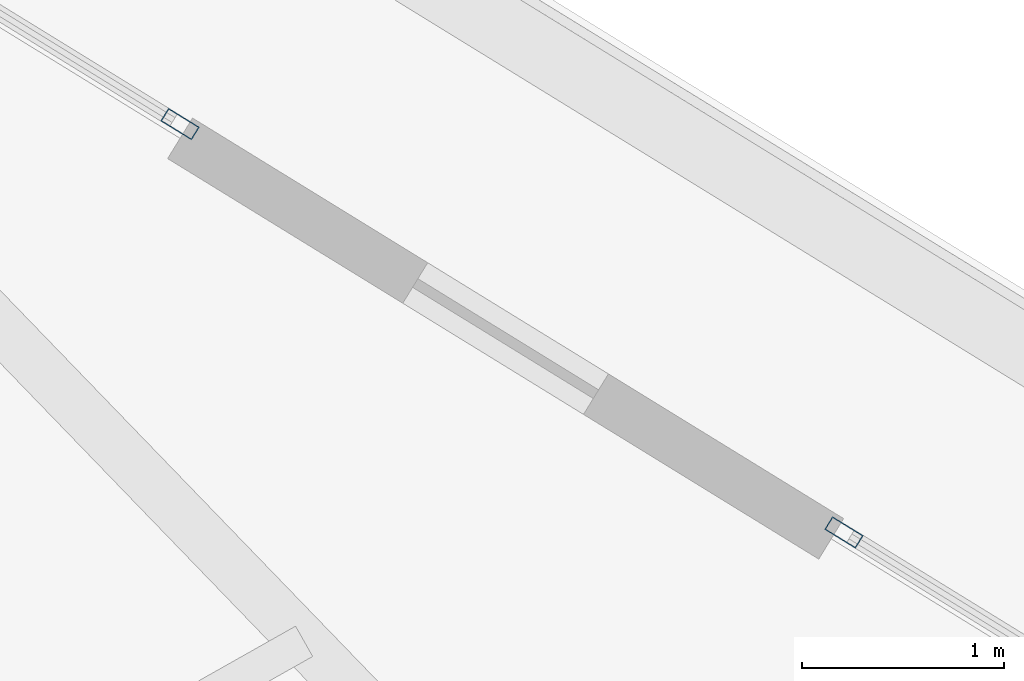
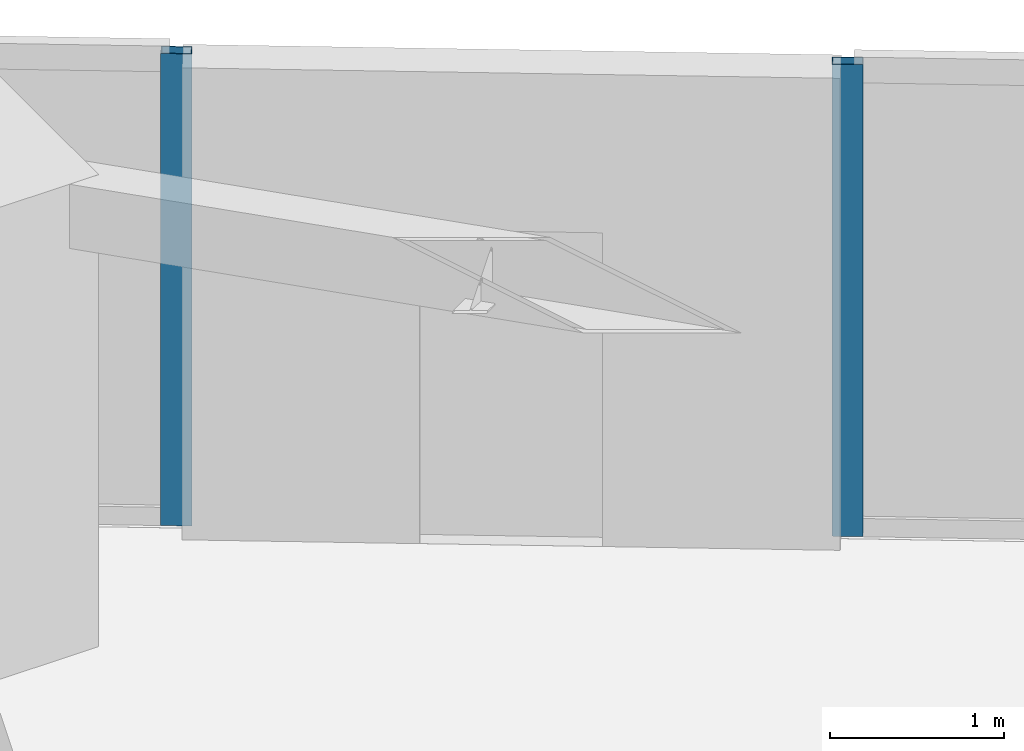
# One storey, part 14 of 21: 2 members, 2 elements without a shape of their own.
"""IFC4 building model written with IfcOpenShell, lengths in metres."""

import ifcopenshell
import ifcopenshell.guid

model = None  # the IFC model being written
_history = None  # IfcOwnerHistory: only IFC2X3 demands one
_inside = {}  # id of a spatial element -> (the spatial element, [elements in it])
_under = {}  # id of a project, library or spatial element -> (it, [spatial elements below it])
_declared = {}  # id of a project -> (the project, [libraries it declares])
_typed = {}  # id of a type object -> (the type object, [elements of that type])
_made_of = {}  # id of a material, layer set ... -> (it, [elements and type objects made of it])


def new_model(schema):
    """Start an empty IFC model of exactly this schema.

    Asked for "IFC4X3", IfcOpenShell would pick the latest addendum, in which some entities
    have other attributes; the version numbers below select the first issue.
    IFC2X3 requires an IfcOwnerHistory on every rooted entity: one is made here for all.
    """
    global model, _history
    if schema == "IFC4X3":
        model = ifcopenshell.file(schema_version=(4, 3, 0, 0))
    else:
        model = ifcopenshell.file(schema=schema)
    _inside.clear()
    _under.clear()
    _declared.clear()
    _typed.clear()
    _made_of.clear()
    _history = None
    if model.schema == "IFC2X3":
        org = make("IfcOrganization", Name="unknown")
        user = make(
            "IfcPersonAndOrganization",
            ThePerson=make("IfcPerson", FamilyName="unknown"),
            TheOrganization=org,
        )
        app = make(
            "IfcApplication",
            ApplicationDeveloper=org,
            Version="unknown",
            ApplicationFullName="unknown",
            ApplicationIdentifier="unknown",
        )
        _history = make(
            "IfcOwnerHistory",
            OwningUser=user,
            OwningApplication=app,
            ChangeAction="ADDED",
            CreationDate=0,
        )
    return model


def make(cls, **values):
    """One entity of the class cls with the attributes given. An attribute that is None is left unset."""
    return model.create_entity(
        cls, **{name: value for name, value in values.items() if value is not None}
    )


def rooted(cls, **values):
    """An entity with a GlobalId (a new one), such as an element, a storey or a relation."""
    return make(cls, GlobalId=ifcopenshell.guid.new(), OwnerHistory=_history, **values)


def si_unit(unit_type, name, prefix=None):
    """IfcSIUnit, for example si_unit("LENGTHUNIT", "METRE", prefix="MILLI")."""
    return make("IfcSIUnit", UnitType=unit_type, Prefix=prefix, Name=name)


def assignment(units):
    """IfcUnitAssignment: the units of a project."""
    return None if units is None else make("IfcUnitAssignment", Units=units)


def point(xyz):
    """IfcCartesianPoint."""
    return None if xyz is None else make("IfcCartesianPoint", Coordinates=xyz)


def direction(xyz):
    """IfcDirection."""
    return None if xyz is None else make("IfcDirection", DirectionRatios=xyz)


def frame(location, z_axis=None, x_axis=None):
    """IfcAxis2Placement3D, a coordinate frame: its origin and axes. An axis left out is left unset."""
    return make(
        "IfcAxis2Placement3D",
        Location=point(location),
        Axis=direction(z_axis),
        RefDirection=direction(x_axis),
    )


def frame_2d(location, x_axis=None):
    """IfcAxis2Placement2D, a coordinate frame in the plane: its origin and x axis."""
    return make(
        "IfcAxis2Placement2D", Location=point(location), RefDirection=direction(x_axis)
    )


def origin():
    """The frame at (0, 0, 0) with its axes left unset."""
    return frame((0.0, 0.0, 0.0))


def origin_2d():
    """The frame at (0, 0) in the plane with its x axis left unset."""
    return frame_2d((0.0, 0.0))


def place(relative_to, where):
    """IfcLocalPlacement: puts the frame where relative to a parent placement (None: the world)."""
    return make(
        "IfcLocalPlacement", PlacementRelTo=relative_to, RelativePlacement=where
    )


def context(
    kind, dimensions, precision=None, world=None, true_north=None, identifier=None
):
    """IfcGeometricRepresentationContext, for example the 3D "Model" context."""
    return make(
        "IfcGeometricRepresentationContext",
        ContextIdentifier=identifier,
        ContextType=kind,
        CoordinateSpaceDimension=dimensions,
        Precision=precision,
        WorldCoordinateSystem=world,
        TrueNorth=true_north,
    )


def subcontext(parent, identifier, kind, view, scale=None):
    """IfcGeometricRepresentationSubContext, for example "Body" below "Model"."""
    return make(
        "IfcGeometricRepresentationSubContext",
        ContextIdentifier=identifier,
        ContextType=kind,
        ParentContext=parent,
        TargetScale=scale,
        TargetView=view,
    )


def project(units=None, contexts=None):
    """IfcProject with its units and contexts."""
    return rooted(
        "IfcProject",
        Name="project",
        RepresentationContexts=contexts,
        UnitsInContext=assignment(units),
    )


def spatial(cls, under=None, at=None, **own):
    """A site, building, storey or space (cls), placed at a placement, below another one or the project."""
    s = rooted(cls, ObjectPlacement=at, **own)
    if under is not None:
        _under.setdefault(under.id(), (under, []))[1].append(s)
    return s


def profile(cls, at=None, kind="AREA", **sizes):
    """A parametric profile (cls). Its sizes go by their IFC names, for example OverallWidth=200.0."""
    return make(cls, ProfileType=kind, Position=at, **sizes)


def hollow_rectangle(**sizes):
    """IfcRectangleHollowProfileDef."""
    return profile("IfcRectangleHollowProfileDef", **sizes)


def extrude(swept, where, along, depth):
    """IfcExtrudedAreaSolid: the profile swept, set in the frame where, extruded along a direction by depth."""
    return make(
        "IfcExtrudedAreaSolid",
        SweptArea=swept,
        Position=where,
        ExtrudedDirection=direction(along),
        Depth=depth,
    )


def shape(context_of_items, identifier, shape_type, items):
    """IfcShapeRepresentation: the items that make up one representation, for example the "Body"."""
    return make(
        "IfcShapeRepresentation",
        ContextOfItems=context_of_items,
        RepresentationIdentifier=identifier,
        RepresentationType=shape_type,
        Items=items,
    )


def source(mapping_origin, context_of_items, identifier, shape_type, items):
    """IfcRepresentationMap: a shape defined once, which mapped items show again and again."""
    return make(
        "IfcRepresentationMap",
        MappingOrigin=mapping_origin,
        MappedRepresentation=shape(context_of_items, identifier, shape_type, items),
    )


def transform(
    local_origin,
    x_axis=None,
    y_axis=None,
    z_axis=None,
    scale=None,
    scale2=None,
    scale3=None,
    uniform=True,
):
    """IfcCartesianTransformationOperator3D, or its non-uniform kind. x_axis, y_axis, z_axis: its Axis1, 2, 3."""
    if uniform:
        return make(
            "IfcCartesianTransformationOperator3D",
            Axis1=direction(x_axis),
            Axis2=direction(y_axis),
            LocalOrigin=point(local_origin),
            Scale=scale,
            Axis3=direction(z_axis),
        )
    return make(
        "IfcCartesianTransformationOperator3DnonUniform",
        Axis1=direction(x_axis),
        Axis2=direction(y_axis),
        LocalOrigin=point(local_origin),
        Scale=scale,
        Axis3=direction(z_axis),
        Scale2=scale2,
        Scale3=scale3,
    )


def mapped(mapping_source, mapping_target):
    """IfcMappedItem: shows the shape of a source again, moved by a transform."""
    return make(
        "IfcMappedItem", MappingSource=mapping_source, MappingTarget=mapping_target
    )


def material(Name=None, Category=None):
    """IfcMaterial."""
    return make("IfcMaterial", Name=Name, Category=Category)


def layer(
    of_material, thickness, ventilated=None, Name=None, Category=None, Priority=None
):
    """IfcMaterialLayer: one layer of a wall or slab, of a material (None: an air gap)."""
    return make(
        "IfcMaterialLayer",
        Material=of_material,
        LayerThickness=thickness,
        IsVentilated=ventilated,
        Name=Name,
        Category=Category,
        Priority=Priority,
    )


def layer_set(layers, Name=None):
    """IfcMaterialLayerSet."""
    return make("IfcMaterialLayerSet", MaterialLayers=layers, LayerSetName=Name)


def material_profile(
    of_material, cross_section, Name=None, Category=None, Priority=None
):
    """IfcMaterialProfile: a cross section and its material."""
    return make(
        "IfcMaterialProfile",
        Name=Name,
        Material=of_material,
        Profile=cross_section,
        Priority=Priority,
        Category=Category,
    )


def profile_set(profiles, Name=None, composite=None):
    """IfcMaterialProfileSet."""
    return make(
        "IfcMaterialProfileSet",
        Name=Name,
        MaterialProfiles=profiles,
        CompositeProfile=composite,
    )


def made_of(thing, what):
    """Note that an element or type object is made of a material, layer set ...; save() writes the relation."""
    if what is not None:
        _made_of.setdefault(what.id(), (what, []))[1].append(thing)
    return thing


def type_object(cls, material=None, **own):
    """A type object (cls), such as IfcWallType, which elements share."""
    return made_of(rooted(cls, **own), material)


def type_shapes(of_type, sources):
    """Give a type object the sources (RepresentationMaps) that its elements show as mapped items."""
    of_type.RepresentationMaps = sources


def element(
    cls,
    number,
    at=None,
    inside=None,
    cuts=None,
    type_object=None,
    material=None,
    context=None,
    identifier="Body",
    shape_type=None,
    held_by="IfcProductDefinitionShape",
    body=None,
    shapes=None,
    **own,
):
    """One element of the class cls, such as IfcWall. Its Tag is "e" and its number.

    at: its placement. inside: the storey or other place that contains it. cuts: it is an
    opening in that element (IfcRelVoidsElement). A single representation is given by context,
    identifier, shape_type and body (its items); several are given by shapes. held_by: the class
    of the entity that holds the representations. save() writes the other relations.
    """
    e = rooted(cls, Tag="e%d" % number, ObjectPlacement=at, **own)
    if body is not None:
        shapes = [shape(context, identifier, shape_type, body)]
    if shapes is not None:
        e.Representation = make(held_by, Representations=shapes)
    if inside is not None:
        _inside.setdefault(inside.id(), (inside, []))[1].append(e)
    if cuts is not None:
        rooted(
            "IfcRelVoidsElement", RelatingBuildingElement=cuts, RelatedOpeningElement=e
        )
    if type_object is not None:
        _typed.setdefault(type_object.id(), (type_object, []))[1].append(e)
    return made_of(e, material)


def aggregate(whole, parts):
    """IfcRelAggregates: a whole, such as a stair, and the parts it consists of."""
    return rooted("IfcRelAggregates", RelatingObject=whole, RelatedObjects=parts)


def save(model, path):
    """Write the relations noted so far, then the file.

    IfcRelAggregates (storeys below a building ...), IfcRelContainedInSpatialStructure (elements
    in a storey), IfcRelDefinesByType, IfcRelAssociatesMaterial and IfcRelDeclares: one each for
    every whole, place, type object, material and project.
    """
    for whole, parts in _under.values():
        aggregate(whole, parts)
    for where, things in _inside.values():
        rooted(
            "IfcRelContainedInSpatialStructure",
            RelatedElements=things,
            RelatingStructure=where,
        )
    for kind, things in _typed.values():
        rooted("IfcRelDefinesByType", RelatedObjects=things, RelatingType=kind)
    for what, things in _made_of.values():
        rooted("IfcRelAssociatesMaterial", RelatedObjects=things, RelatingMaterial=what)
    for by, libraries in _declared.values():
        rooted("IfcRelDeclares", RelatingContext=by, RelatedDefinitions=libraries)
    model.write(path)


model = new_model("IFC4")

# Units and contexts
model_context = context("Model", 3, precision=1e-05, world=origin(), true_north=direction((0.0, 1.0)))
body_context = subcontext(model_context, "Body", "Model", "MODEL_VIEW")
ifc_project = project(units=[si_unit("LENGTHUNIT", "METRE"), si_unit("AREAUNIT", "SQUARE_METRE"), si_unit("VOLUMEUNIT", "CUBIC_METRE"), si_unit("PLANEANGLEUNIT", "RADIAN"), si_unit("MASSUNIT", "GRAM", prefix="KILO")], contexts=[model_context])

# Site, building, storey
site_placement = place(None, origin())
site = spatial("IfcSite", under=ifc_project, at=site_placement, CompositionType="ELEMENT")
building_placement = place(site_placement, origin())
building = spatial("IfcBuilding", under=site, at=building_placement, Name="Talar Marvaseh", CompositionType="ELEMENT")
storey_placement = place(building_placement, frame((0.0, 0.0, 139.800048828125)))
storey = spatial("IfcBuildingStorey", under=building, at=storey_placement, Name="L36", CompositionType="ELEMENT", Elevation=139.800048828125)

# Curtain wall, member
ifc_material = material(Name="Architectural Aluminium", Category="aluminium")
ifc_layer = layer(ifc_material, 0.199951171875)
ifc_layer_set = layer_set([ifc_layer], Name="Architectural Aluminium")
curtain_wall_type = type_object("IfcCurtainWallType", Name="Unitised Acoustic Library Curtain Wall Z2", PredefinedType="NOTDEFINED", material=ifc_layer_set)
curtain_wall_1_placement = place(storey_placement, origin())
curtain_wall_1 = element("IfcCurtainWall", 1, at=curtain_wall_1_placement, inside=storey, type_object=curtain_wall_type, Name="L36 Unitised Acoustic Library Curtain Wall Z2", PredefinedType="NOTDEFINED")
ifc_material_profile = material_profile(ifc_material, hollow_rectangle(XDim=0.074951171875, YDim=0.179931640625, WallThickness=0.0048828125, at=origin_2d()), Name="RHS180x75x5")
ifc_profile_set = profile_set([ifc_material_profile], Name="Architectural Aluminium")
member_type = type_object("IfcMemberType", Name="Unitised Curtain Wall Standard Mullion RHS180x75x5", PredefinedType="MULLION", material=ifc_profile_set)
shared_shape = source(origin(), body_context, "Body", "SweptSolid", [
    extrude(hollow_rectangle(XDim=0.074951171875, YDim=0.179931640625, WallThickness=0.0048828125, at=origin_2d()), origin(), (0.0, 0.0, 1.0), 3.31005859375),
])
type_shapes(member_type, [shared_shape])
member_1_placement = place(storey_placement, frame((38.47607421875, 42.728271484375, 0.0), z_axis=(0.0, 0.0, 1.0), x_axis=(0.523930983177, 0.85176072043, 0.0)))
member_1 = element("IfcMember", 2, at=member_1_placement, type_object=member_type, Name="CW-Z2 mullion 2", PredefinedType="MULLION", context=body_context, shape_type="MappedRepresentation", body=[
    mapped(shared_shape, transform((0.0, 0.0, 0.0), x_axis=(1.0, 0.0, 0.0), y_axis=(0.0, 1.0, 0.0), z_axis=(0.0, 0.0, 1.0), scale=1.0)),
])
aggregate(curtain_wall_1, [member_1])

curtain_wall_2_placement = place(storey_placement, origin())
curtain_wall_2 = element("IfcCurtainWall", 3, at=curtain_wall_2_placement, inside=storey, type_object=curtain_wall_type, Name="L36 Unitised Acoustic Library Curtain Wall Z2", PredefinedType="NOTDEFINED")
member_2_placement = place(storey_placement, frame((41.761474609375, 40.707275390625, 0.0), z_axis=(0.0, 0.0, 1.0), x_axis=(0.523930983177, 0.85176072043, 0.0)))
member_2 = element("IfcMember", 4, at=member_2_placement, type_object=member_type, Name="CW-Z2 mullion 1", PredefinedType="MULLION", context=body_context, shape_type="MappedRepresentation", body=[
    mapped(shared_shape, transform((0.0, 0.0, 0.0), x_axis=(1.0, 0.0, 0.0), y_axis=(0.0, 1.0, 0.0), z_axis=(0.0, 0.0, 1.0), scale=1.0)),
])
aggregate(curtain_wall_2, [member_2])

save(model, "model.ifc")
